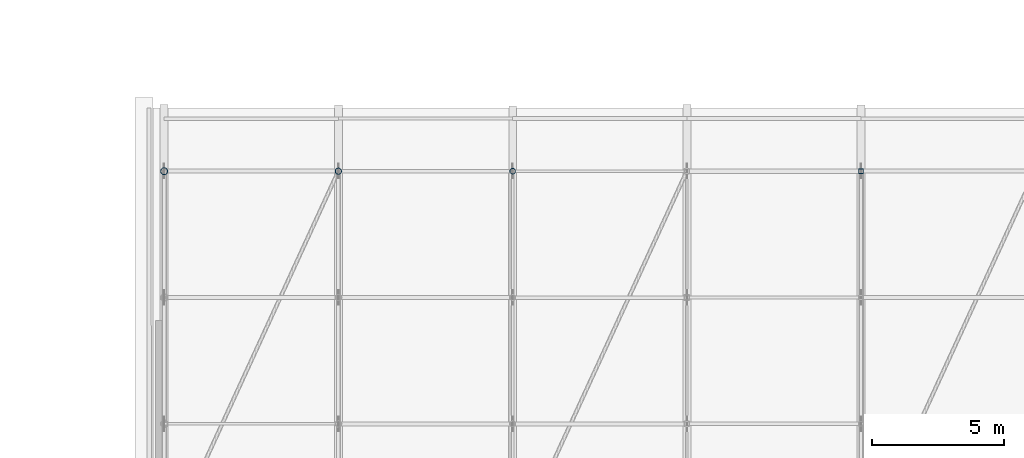
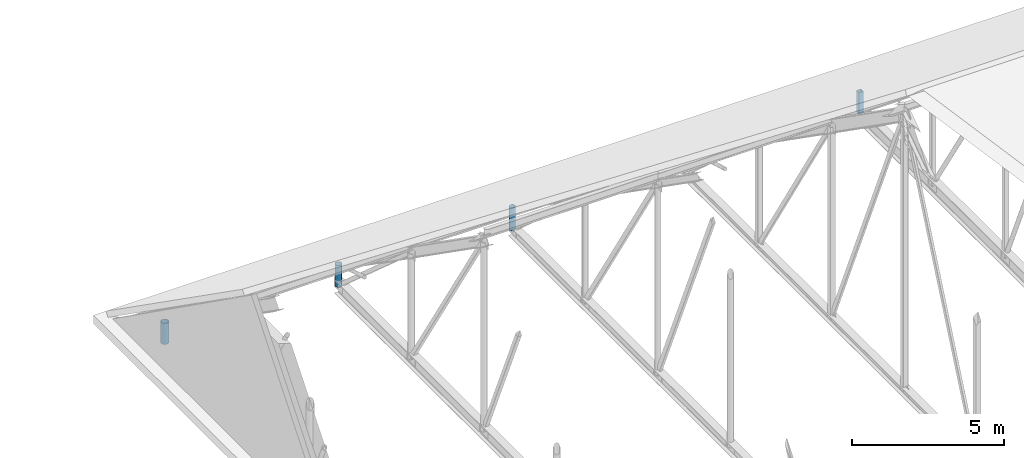
# One storey, part 85 of 134: 4 members.
"""IFC4 building model written with IfcOpenShell, lengths in metres."""

from ifc_helpers import new_model, si_unit, direction, frame, origin, origin_2d, place, context, subcontext, project, spatial, hollow_rectangle, hollow_circle, extrude, material, material_profile, profile_set, type_object, element, save


model = new_model("IFC4")

# Units and contexts
model_context = context("Model", 3, precision=1e-05, world=origin(), true_north=direction((0.0, 1.0)))
body_context = subcontext(model_context, "Body", "Model", "MODEL_VIEW")
ifc_project = project(units=[si_unit("LENGTHUNIT", "METRE"), si_unit("AREAUNIT", "SQUARE_METRE"), si_unit("VOLUMEUNIT", "CUBIC_METRE"), si_unit("PLANEANGLEUNIT", "RADIAN"), si_unit("MASSUNIT", "GRAM", prefix="KILO")], contexts=[model_context])

# Site, building, storey
site_placement = place(None, origin())
site = spatial("IfcSite", under=ifc_project, at=site_placement, CompositionType="ELEMENT")
building_placement = place(site_placement, origin())
building = spatial("IfcBuilding", under=site, at=building_placement, Name="Asteropetra Specialist Clinic", CompositionType="ELEMENT")
storey_placement = place(building_placement, frame((0.0, 0.0, 8.5)))
storey = spatial("IfcBuildingStorey", under=building, at=storey_placement, Name="L02", CompositionType="ELEMENT", Elevation=8.5)

# Members
ifc_material_1 = material(Name="Steel S355", Category="steel")
ifc_material_profile_1 = material_profile(ifc_material_1, hollow_circle(Radius=0.109619140625, WallThickness=0.010009765625, at=origin_2d()), Name="CHS 219.1x10.0")
ifc_profile_set_1 = profile_set([ifc_material_profile_1], Name="Steel S355")
member_type_1 = type_object("IfcMemberType", Name="TR-STR-CHS219", PredefinedType="STRUT", material=ifc_profile_set_1)
member_1_placement = place(storey_placement, frame((100.139892578125, 105.60009765625, 0.419921875), z_axis=(0.0, 0.0, 1.0), x_axis=(1.0, 0.0, 0.0)))
element("IfcMember", 1, at=member_1_placement, inside=storey, type_object=member_type_1, Name="Truss Web Strut TRV1-V03-6", PredefinedType="STRUT", context=body_context, shape_type="SweptSolid", body=[
    extrude(hollow_circle(Radius=0.109619140625, WallThickness=0.010009765625, at=origin_2d()), origin(), (0.0, 0.0, 1.0), 0.9267578125),
])
ifc_material_2 = material(Name="Steel S355", Category="steel")
ifc_material_profile_2 = material_profile(ifc_material_2, hollow_circle(Radius=0.122314453125, WallThickness=0.012451171875, at=origin_2d()), Name="CHS 244.5x12.5")
ifc_profile_set_2 = profile_set([ifc_material_profile_2], Name="Steel S355")
member_type_2 = type_object("IfcMemberType", Name="TR-STR-CHS244", PredefinedType="STRUT", material=ifc_profile_set_2)
member_2_placement = place(storey_placement, frame((93.52001953125, 105.60009765625, 0.469970703125), z_axis=(0.0, 0.0, 1.0), x_axis=(1.0, 0.0, 0.0)))
element("IfcMember", 2, at=member_2_placement, inside=storey, type_object=member_type_2, Name="Truss Web Strut TRV1-V02-6", PredefinedType="STRUT", context=body_context, shape_type="SweptSolid", body=[
    extrude(hollow_circle(Radius=0.122314453125, WallThickness=0.012451171875, at=origin_2d()), origin(), (0.0, 0.0, 1.0), 0.876708984375),
])
ifc_material_3 = material(Name="Steel S355", Category="steel")
ifc_material_profile_3 = material_profile(ifc_material_3, hollow_circle(Radius=0.136474609375, WallThickness=0.012451171875, at=origin_2d()), Name="CHS 273.0x12.5")
ifc_profile_set_3 = profile_set([ifc_material_profile_3], Name="Steel S355")
member_type_3 = type_object("IfcMemberType", Name="TR-STR-CHS273", PredefinedType="STRUT", material=ifc_profile_set_3)
member_3_placement = place(storey_placement, frame((86.89990234375, 105.60009765625, 0.4951171875), z_axis=(0.0, 0.0, 1.0), x_axis=(1.0, 0.0, 0.0)))
element("IfcMember", 3, at=member_3_placement, inside=storey, type_object=member_type_3, Name="Truss Web Strut TRV1-V01-6", PredefinedType="STRUT", context=body_context, shape_type="SweptSolid", body=[
    extrude(hollow_circle(Radius=0.136474609375, WallThickness=0.012451171875, at=origin_2d()), origin(), (0.0, 0.0, 1.0), 0.8515625),
])
ifc_material_4 = material(Name="Steel S355", Category="steel")
ifc_material_profile_4 = material_profile(ifc_material_4, hollow_rectangle(XDim=0.179931640625, YDim=0.179931640625, WallThickness=0.010009765625, InnerFilletRadius=0.008056640625, OuterFilletRadius=0.01611328125, at=origin_2d()), Name="SHS 180x180x10.0")
ifc_profile_set_4 = profile_set([ifc_material_profile_4], Name="Steel S355")
member_type_4 = type_object("IfcMemberType", Name="TR-STR-SHS180", PredefinedType="STRUT", material=ifc_profile_set_4)
member_4_placement = place(storey_placement, frame((113.3798828125, 105.60009765625, 0.4951171875), z_axis=(0.0, 0.0, 1.0), x_axis=(1.0, 0.0, 0.0)))
element("IfcMember", 4, at=member_4_placement, inside=storey, type_object=member_type_4, Name="Truss Web Strut TRV1-V05-6", PredefinedType="STRUT", context=body_context, shape_type="SweptSolid", body=[
    extrude(hollow_rectangle(XDim=0.179931640625, YDim=0.179931640625, WallThickness=0.010009765625, InnerFilletRadius=0.008056640625, OuterFilletRadius=0.01611328125, at=origin_2d()), origin(), (0.0, 0.0, 1.0), 0.8515625),
])

save(model, "model.ifc")
